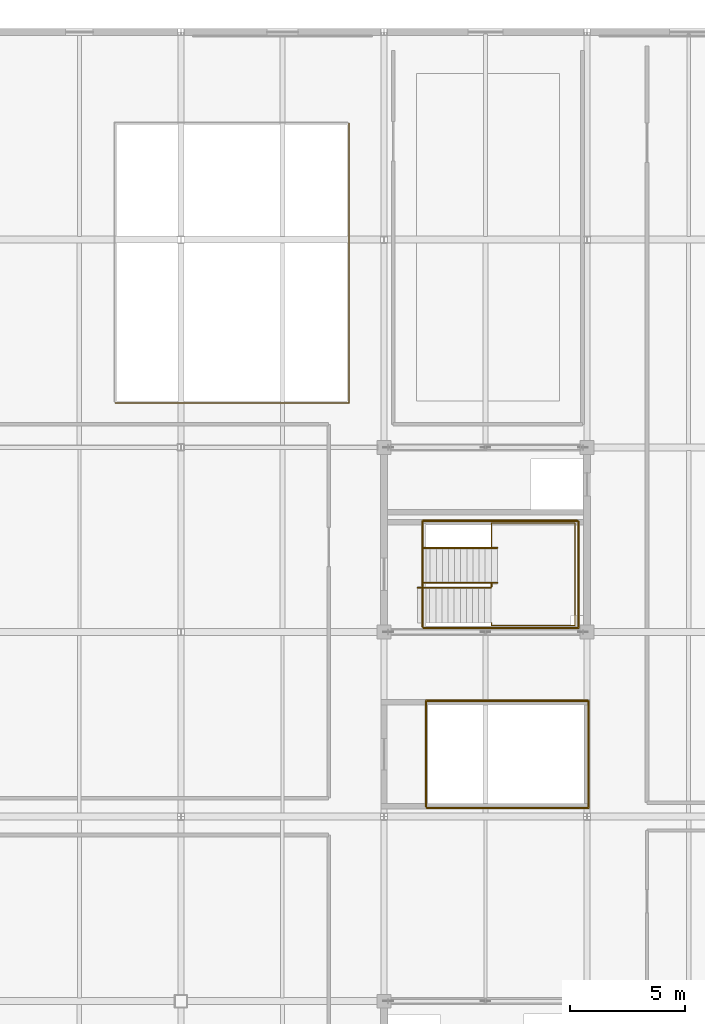
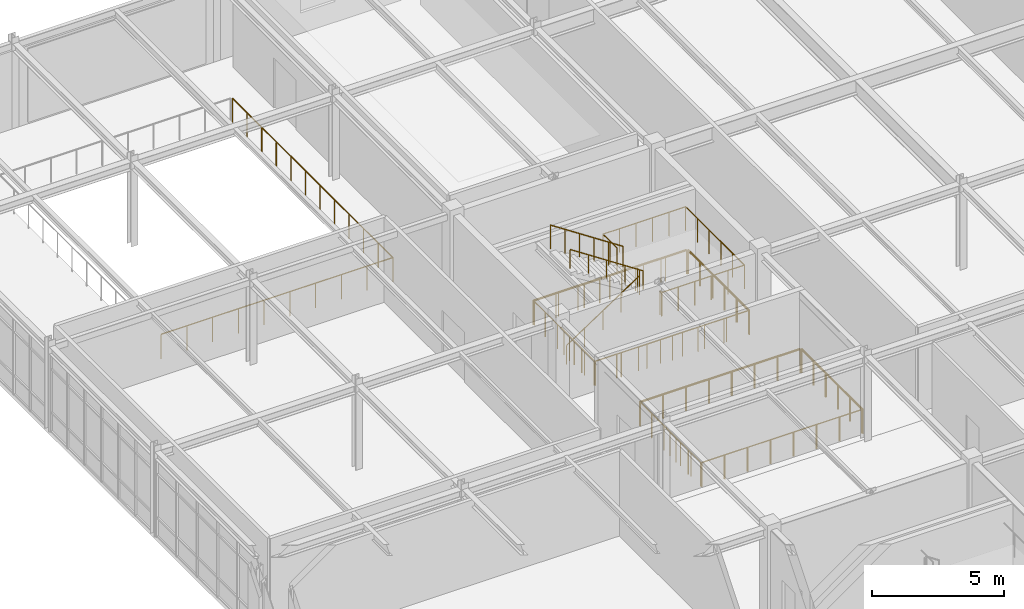
# One storey, part 86 of 88: 12 railings.
"""IFC4 building model written with IfcOpenShell, lengths in metres."""

import ifcopenshell
import ifcopenshell.guid

model = None  # the IFC model being written
_history = None  # IfcOwnerHistory: only IFC2X3 demands one
_inside = {}  # id of a spatial element -> (the spatial element, [elements in it])
_under = {}  # id of a project, library or spatial element -> (it, [spatial elements below it])
_declared = {}  # id of a project -> (the project, [libraries it declares])
_typed = {}  # id of a type object -> (the type object, [elements of that type])
_made_of = {}  # id of a material, layer set ... -> (it, [elements and type objects made of it])


def new_model(schema):
    """Start an empty IFC model of exactly this schema.

    Asked for "IFC4X3", IfcOpenShell would pick the latest addendum, in which some entities
    have other attributes; the version numbers below select the first issue.
    IFC2X3 requires an IfcOwnerHistory on every rooted entity: one is made here for all.
    """
    global model, _history
    if schema == "IFC4X3":
        model = ifcopenshell.file(schema_version=(4, 3, 0, 0))
    else:
        model = ifcopenshell.file(schema=schema)
    _inside.clear()
    _under.clear()
    _declared.clear()
    _typed.clear()
    _made_of.clear()
    _history = None
    if model.schema == "IFC2X3":
        org = make("IfcOrganization", Name="unknown")
        user = make(
            "IfcPersonAndOrganization",
            ThePerson=make("IfcPerson", FamilyName="unknown"),
            TheOrganization=org,
        )
        app = make(
            "IfcApplication",
            ApplicationDeveloper=org,
            Version="unknown",
            ApplicationFullName="unknown",
            ApplicationIdentifier="unknown",
        )
        _history = make(
            "IfcOwnerHistory",
            OwningUser=user,
            OwningApplication=app,
            ChangeAction="ADDED",
            CreationDate=0,
        )
    return model


def make(cls, **values):
    """One entity of the class cls with the attributes given. An attribute that is None is left unset."""
    return model.create_entity(
        cls, **{name: value for name, value in values.items() if value is not None}
    )


def rooted(cls, **values):
    """An entity with a GlobalId (a new one), such as an element, a storey or a relation."""
    return make(cls, GlobalId=ifcopenshell.guid.new(), OwnerHistory=_history, **values)


def si_unit(unit_type, name, prefix=None):
    """IfcSIUnit, for example si_unit("LENGTHUNIT", "METRE", prefix="MILLI")."""
    return make("IfcSIUnit", UnitType=unit_type, Prefix=prefix, Name=name)


def assignment(units):
    """IfcUnitAssignment: the units of a project."""
    return None if units is None else make("IfcUnitAssignment", Units=units)


def point(xyz):
    """IfcCartesianPoint."""
    return None if xyz is None else make("IfcCartesianPoint", Coordinates=xyz)


def direction(xyz):
    """IfcDirection."""
    return None if xyz is None else make("IfcDirection", DirectionRatios=xyz)


def frame(location, z_axis=None, x_axis=None):
    """IfcAxis2Placement3D, a coordinate frame: its origin and axes. An axis left out is left unset."""
    return make(
        "IfcAxis2Placement3D",
        Location=point(location),
        Axis=direction(z_axis),
        RefDirection=direction(x_axis),
    )


def frame_2d(location, x_axis=None):
    """IfcAxis2Placement2D, a coordinate frame in the plane: its origin and x axis."""
    return make(
        "IfcAxis2Placement2D", Location=point(location), RefDirection=direction(x_axis)
    )


def origin():
    """The frame at (0, 0, 0) with its axes left unset."""
    return frame((0.0, 0.0, 0.0))


def origin_2d():
    """The frame at (0, 0) in the plane with its x axis left unset."""
    return frame_2d((0.0, 0.0))


def place(relative_to, where):
    """IfcLocalPlacement: puts the frame where relative to a parent placement (None: the world)."""
    return make(
        "IfcLocalPlacement", PlacementRelTo=relative_to, RelativePlacement=where
    )


def context(
    kind, dimensions, precision=None, world=None, true_north=None, identifier=None
):
    """IfcGeometricRepresentationContext, for example the 3D "Model" context."""
    return make(
        "IfcGeometricRepresentationContext",
        ContextIdentifier=identifier,
        ContextType=kind,
        CoordinateSpaceDimension=dimensions,
        Precision=precision,
        WorldCoordinateSystem=world,
        TrueNorth=true_north,
    )


def subcontext(parent, identifier, kind, view, scale=None):
    """IfcGeometricRepresentationSubContext, for example "Body" below "Model"."""
    return make(
        "IfcGeometricRepresentationSubContext",
        ContextIdentifier=identifier,
        ContextType=kind,
        ParentContext=parent,
        TargetScale=scale,
        TargetView=view,
    )


def project(units=None, contexts=None):
    """IfcProject with its units and contexts."""
    return rooted(
        "IfcProject",
        Name="project",
        RepresentationContexts=contexts,
        UnitsInContext=assignment(units),
    )


def spatial(cls, under=None, at=None, **own):
    """A site, building, storey or space (cls), placed at a placement, below another one or the project."""
    s = rooted(cls, ObjectPlacement=at, **own)
    if under is not None:
        _under.setdefault(under.id(), (under, []))[1].append(s)
    return s


def profile(cls, at=None, kind="AREA", **sizes):
    """A parametric profile (cls). Its sizes go by their IFC names, for example OverallWidth=200.0."""
    return make(cls, ProfileType=kind, Position=at, **sizes)


def circle(**sizes):
    """IfcCircleProfileDef."""
    return profile("IfcCircleProfileDef", **sizes)


def extrude(swept, where, along, depth):
    """IfcExtrudedAreaSolid: the profile swept, set in the frame where, extruded along a direction by depth."""
    return make(
        "IfcExtrudedAreaSolid",
        SweptArea=swept,
        Position=where,
        ExtrudedDirection=direction(along),
        Depth=depth,
    )


def shape(context_of_items, identifier, shape_type, items):
    """IfcShapeRepresentation: the items that make up one representation, for example the "Body"."""
    return make(
        "IfcShapeRepresentation",
        ContextOfItems=context_of_items,
        RepresentationIdentifier=identifier,
        RepresentationType=shape_type,
        Items=items,
    )


def material(Name=None, Category=None):
    """IfcMaterial."""
    return make("IfcMaterial", Name=Name, Category=Category)


def made_of(thing, what):
    """Note that an element or type object is made of a material, layer set ...; save() writes the relation."""
    if what is not None:
        _made_of.setdefault(what.id(), (what, []))[1].append(thing)
    return thing


def type_object(cls, material=None, **own):
    """A type object (cls), such as IfcWallType, which elements share."""
    return made_of(rooted(cls, **own), material)


def element(
    cls,
    number,
    at=None,
    inside=None,
    cuts=None,
    type_object=None,
    material=None,
    context=None,
    identifier="Body",
    shape_type=None,
    held_by="IfcProductDefinitionShape",
    body=None,
    shapes=None,
    **own,
):
    """One element of the class cls, such as IfcWall. Its Tag is "e" and its number.

    at: its placement. inside: the storey or other place that contains it. cuts: it is an
    opening in that element (IfcRelVoidsElement). A single representation is given by context,
    identifier, shape_type and body (its items); several are given by shapes. held_by: the class
    of the entity that holds the representations. save() writes the other relations.
    """
    e = rooted(cls, Tag="e%d" % number, ObjectPlacement=at, **own)
    if body is not None:
        shapes = [shape(context, identifier, shape_type, body)]
    if shapes is not None:
        e.Representation = make(held_by, Representations=shapes)
    if inside is not None:
        _inside.setdefault(inside.id(), (inside, []))[1].append(e)
    if cuts is not None:
        rooted(
            "IfcRelVoidsElement", RelatingBuildingElement=cuts, RelatedOpeningElement=e
        )
    if type_object is not None:
        _typed.setdefault(type_object.id(), (type_object, []))[1].append(e)
    return made_of(e, material)


def aggregate(whole, parts):
    """IfcRelAggregates: a whole, such as a stair, and the parts it consists of."""
    return rooted("IfcRelAggregates", RelatingObject=whole, RelatedObjects=parts)


def save(model, path):
    """Write the relations noted so far, then the file.

    IfcRelAggregates (storeys below a building ...), IfcRelContainedInSpatialStructure (elements
    in a storey), IfcRelDefinesByType, IfcRelAssociatesMaterial and IfcRelDeclares: one each for
    every whole, place, type object, material and project.
    """
    for whole, parts in _under.values():
        aggregate(whole, parts)
    for where, things in _inside.values():
        rooted(
            "IfcRelContainedInSpatialStructure",
            RelatedElements=things,
            RelatingStructure=where,
        )
    for kind, things in _typed.values():
        rooted("IfcRelDefinesByType", RelatedObjects=things, RelatingType=kind)
    for what, things in _made_of.values():
        rooted("IfcRelAssociatesMaterial", RelatedObjects=things, RelatingMaterial=what)
    for by, libraries in _declared.values():
        rooted("IfcRelDeclares", RelatingContext=by, RelatedDefinitions=libraries)
    model.write(path)


model = new_model("IFC4")

# Units and contexts
model_context = context("Model", 3, precision=1e-05, world=origin(), true_north=direction((0.0, 1.0)))
body_context = subcontext(model_context, "Body", "Model", "MODEL_VIEW")
ifc_project = project(units=[si_unit("LENGTHUNIT", "METRE"), si_unit("AREAUNIT", "SQUARE_METRE"), si_unit("VOLUMEUNIT", "CUBIC_METRE"), si_unit("PLANEANGLEUNIT", "RADIAN"), si_unit("MASSUNIT", "GRAM", prefix="KILO")], contexts=[model_context])

# Site, building, storey
site_placement = place(None, origin())
site = spatial("IfcSite", under=ifc_project, at=site_placement, CompositionType="ELEMENT")
building_placement = place(site_placement, origin())
building = spatial("IfcBuilding", under=site, at=building_placement, Name="Zhaolan Boulevard Law Courts", CompositionType="ELEMENT")
storey_placement = place(building_placement, frame((0.0, 0.0, 16.199951171875)))
storey = spatial("IfcBuildingStorey", under=building, at=storey_placement, Name="L03", CompositionType="ELEMENT", Elevation=16.199951171875)

# Railings
ifc_material_1 = material(Name="Powder-coated steel and tempered laminated glass", Category="steel")
railing_type_1 = type_object("IfcRailingType", Name="INTERIOR GUARDRAIL 1150", PredefinedType="GUARDRAIL", material=ifc_material_1)
railing_1_placement = place(storey_placement, frame((19.31005859375, 86.169921875, 0.0)))
element("IfcRailing", 1, at=railing_1_placement, inside=storey, type_object=railing_type_1, Name="Atrium Gallery Guardrail VG-3-V3-2A", PredefinedType="GUARDRAIL", context=body_context, shape_type="SweptSolid", body=[
    extrude(circle(Radius=0.02490234375, at=origin_2d()), frame((0.0, 0.0, 1.125), z_axis=(1.0, 0.0, 0.0), x_axis=(0.0, 1.0, 0.0)), (0.0, 0.0, 1.0), 6.719970703125),
    extrude(circle(Radius=0.02490234375, at=origin_2d()), frame((6.719970703125, 0.0, 1.125), z_axis=(0.0, 1.0, 0.0), x_axis=(-1.0, 0.0, 0.0)), (0.0, 0.0, 1.0), 4.6201171875),
    extrude(circle(Radius=0.02099609375, at=origin_2d()), origin(), (0.0, 0.0, 1.0), 1.099853515625),
    extrude(circle(Radius=0.02099609375, at=origin_2d()), frame((1.1201171875, 0.0, 0.0)), (0.0, 0.0, 1.0), 1.099853515625),
    extrude(circle(Radius=0.02099609375, at=origin_2d()), frame((2.239990234375, 0.0, 0.0)), (0.0, 0.0, 1.0), 1.099853515625),
    extrude(circle(Radius=0.02099609375, at=origin_2d()), frame((3.35986328125, 0.0, 0.0)), (0.0, 0.0, 1.0), 1.099853515625),
    extrude(circle(Radius=0.02099609375, at=origin_2d()), frame((4.47998046875, 0.0, 0.0)), (0.0, 0.0, 1.0), 1.099853515625),
    extrude(circle(Radius=0.02099609375, at=origin_2d()), frame((5.60009765625, 0.0, 0.0)), (0.0, 0.0, 1.0), 1.099853515625),
    extrude(circle(Radius=0.02099609375, at=origin_2d()), frame((6.719970703125, 0.0, 0.0)), (0.0, 0.0, 1.0), 1.099853515625),
    extrude(circle(Radius=0.02099609375, at=origin_2d()), frame((6.719970703125, 0.924072265625, 0.0)), (0.0, 0.0, 1.0), 1.099853515625),
    extrude(circle(Radius=0.02099609375, at=origin_2d()), frame((6.719970703125, 1.84814453125, 0.0)), (0.0, 0.0, 1.0), 1.099853515625),
    extrude(circle(Radius=0.02099609375, at=origin_2d()), frame((6.719970703125, 2.77197265625, 0.0)), (0.0, 0.0, 1.0), 1.099853515625),
    extrude(circle(Radius=0.02099609375, at=origin_2d()), frame((6.719970703125, 3.696044921875, 0.0)), (0.0, 0.0, 1.0), 1.099853515625),
    extrude(circle(Radius=0.02099609375, at=origin_2d()), frame((6.719970703125, 4.6201171875, 0.0)), (0.0, 0.0, 1.0), 1.099853515625),
])
railing_2_placement = place(storey_placement, frame((25.969970703125, 90.830078125, 0.0)))
element("IfcRailing", 2, at=railing_2_placement, inside=storey, type_object=railing_type_1, Name="Atrium Gallery Guardrail VG-3-V3-2B", PredefinedType="GUARDRAIL", context=body_context, shape_type="SweptSolid", body=[
    extrude(circle(Radius=0.02490234375, at=origin_2d()), frame((0.0, 0.0, 1.125), z_axis=(-1.0, 0.0, 0.0), x_axis=(0.0, -1.0, 0.0)), (0.0, 0.0, 1.0), 6.699951171875),
    extrude(circle(Radius=0.02490234375, at=origin_2d()), frame((-6.699951171875, 0.0, 1.125), z_axis=(0.0, -1.0, 0.0), x_axis=(1.0, 0.0, 0.0)), (0.0, 0.0, 1.0), 4.60009765625),
    extrude(circle(Radius=0.02099609375, at=origin_2d()), origin(), (0.0, 0.0, 1.0), 1.099853515625),
    extrude(circle(Radius=0.02099609375, at=origin_2d()), frame((-1.11669921875, 0.0, 0.0)), (0.0, 0.0, 1.0), 1.099853515625),
    extrude(circle(Radius=0.02099609375, at=origin_2d()), frame((-2.2333984375, 0.0, 0.0)), (0.0, 0.0, 1.0), 1.099853515625),
    extrude(circle(Radius=0.02099609375, at=origin_2d()), frame((-3.35009765625, 0.0, 0.0)), (0.0, 0.0, 1.0), 1.099853515625),
    extrude(circle(Radius=0.02099609375, at=origin_2d()), frame((-4.466552734375, 0.0, 0.0)), (0.0, 0.0, 1.0), 1.099853515625),
    extrude(circle(Radius=0.02099609375, at=origin_2d()), frame((-5.583251953125, 0.0, 0.0)), (0.0, 0.0, 1.0), 1.099853515625),
    extrude(circle(Radius=0.02099609375, at=origin_2d()), frame((-6.699951171875, 0.0, 0.0)), (0.0, 0.0, 1.0), 1.099853515625),
    extrude(circle(Radius=0.02099609375, at=origin_2d()), frame((-6.699951171875, -0.919921875, 0.0)), (0.0, 0.0, 1.0), 1.099853515625),
    extrude(circle(Radius=0.02099609375, at=origin_2d()), frame((-6.699951171875, -1.840087890625, 0.0)), (0.0, 0.0, 1.0), 1.099853515625),
    extrude(circle(Radius=0.02099609375, at=origin_2d()), frame((-6.699951171875, -2.760009765625, 0.0)), (0.0, 0.0, 1.0), 1.099853515625),
    extrude(circle(Radius=0.02099609375, at=origin_2d()), frame((-6.699951171875, -3.68017578125, 0.0)), (0.0, 0.0, 1.0), 1.099853515625),
    extrude(circle(Radius=0.02099609375, at=origin_2d()), frame((-6.699951171875, -4.60009765625, 0.0)), (0.0, 0.0, 1.0), 1.099853515625),
])
railing_3_placement = place(storey_placement, frame((19.4599609375, 78.3701171875, 0.0)))
element("IfcRailing", 3, at=railing_3_placement, inside=storey, type_object=railing_type_1, Name="Atrium Gallery Guardrail VG-3-V3-3A", PredefinedType="GUARDRAIL", context=body_context, shape_type="SweptSolid", body=[
    extrude(circle(Radius=0.02490234375, at=origin_2d()), frame((0.0, 0.0, 1.125), z_axis=(1.0, 0.0, 0.0), x_axis=(0.0, 1.0, 0.0)), (0.0, 0.0, 1.0), 7.02001953125),
    extrude(circle(Radius=0.02490234375, at=origin_2d()), frame((7.02001953125, 0.0, 1.125), z_axis=(0.0, 1.0, 0.0), x_axis=(-1.0, 0.0, 0.0)), (0.0, 0.0, 1.0), 4.619873046875),
    extrude(circle(Radius=0.02099609375, at=origin_2d()), origin(), (0.0, 0.0, 1.0), 1.099853515625),
    extrude(circle(Radius=0.02099609375, at=origin_2d()), frame((1.0029296875, 0.0, 0.0)), (0.0, 0.0, 1.0), 1.099853515625),
    extrude(circle(Radius=0.02099609375, at=origin_2d()), frame((2.005615234375, 0.0, 0.0)), (0.0, 0.0, 1.0), 1.099853515625),
    extrude(circle(Radius=0.02099609375, at=origin_2d()), frame((3.008544921875, 0.0, 0.0)), (0.0, 0.0, 1.0), 1.099853515625),
    extrude(circle(Radius=0.02099609375, at=origin_2d()), frame((4.011474609375, 0.0, 0.0)), (0.0, 0.0, 1.0), 1.099853515625),
    extrude(circle(Radius=0.02099609375, at=origin_2d()), frame((5.014404296875, 0.0, 0.0)), (0.0, 0.0, 1.0), 1.099853515625),
    extrude(circle(Radius=0.02099609375, at=origin_2d()), frame((6.01708984375, 0.0, 0.0)), (0.0, 0.0, 1.0), 1.099853515625),
    extrude(circle(Radius=0.02099609375, at=origin_2d()), frame((7.02001953125, 0.0, 0.0)), (0.0, 0.0, 1.0), 1.099853515625),
    extrude(circle(Radius=0.02099609375, at=origin_2d()), frame((7.02001953125, 0.924072265625, 0.0)), (0.0, 0.0, 1.0), 1.099853515625),
    extrude(circle(Radius=0.02099609375, at=origin_2d()), frame((7.02001953125, 1.847900390625, 0.0)), (0.0, 0.0, 1.0), 1.099853515625),
    extrude(circle(Radius=0.02099609375, at=origin_2d()), frame((7.02001953125, 2.77197265625, 0.0)), (0.0, 0.0, 1.0), 1.099853515625),
    extrude(circle(Radius=0.02099609375, at=origin_2d()), frame((7.02001953125, 3.69580078125, 0.0)), (0.0, 0.0, 1.0), 1.099853515625),
    extrude(circle(Radius=0.02099609375, at=origin_2d()), frame((7.02001953125, 4.619873046875, 0.0)), (0.0, 0.0, 1.0), 1.099853515625),
])
railing_4_placement = place(storey_placement, frame((26.419921875, 83.030029296875, 0.0)))
element("IfcRailing", 4, at=railing_4_placement, inside=storey, type_object=railing_type_1, Name="Atrium Gallery Guardrail VG-3-V3-3B", PredefinedType="GUARDRAIL", context=body_context, shape_type="SweptSolid", body=[
    extrude(circle(Radius=0.02490234375, at=origin_2d()), frame((0.0, 0.0, 1.125), z_axis=(-1.0, 0.0, 0.0), x_axis=(0.0, -1.0, 0.0)), (0.0, 0.0, 1.0), 7.0),
    extrude(circle(Radius=0.02490234375, at=origin_2d()), frame((-7.0, 0.0, 1.125), z_axis=(0.0, -1.0, 0.0), x_axis=(1.0, 0.0, 0.0)), (0.0, 0.0, 1.0), 4.60009765625),
    extrude(circle(Radius=0.02099609375, at=origin_2d()), origin(), (0.0, 0.0, 1.0), 1.099853515625),
    extrude(circle(Radius=0.02099609375, at=origin_2d()), frame((-1.0, 0.0, 0.0)), (0.0, 0.0, 1.0), 1.099853515625),
    extrude(circle(Radius=0.02099609375, at=origin_2d()), frame((-2.0, 0.0, 0.0)), (0.0, 0.0, 1.0), 1.099853515625),
    extrude(circle(Radius=0.02099609375, at=origin_2d()), frame((-3.0, 0.0, 0.0)), (0.0, 0.0, 1.0), 1.099853515625),
    extrude(circle(Radius=0.02099609375, at=origin_2d()), frame((-4.0, 0.0, 0.0)), (0.0, 0.0, 1.0), 1.099853515625),
    extrude(circle(Radius=0.02099609375, at=origin_2d()), frame((-5.0, 0.0, 0.0)), (0.0, 0.0, 1.0), 1.099853515625),
    extrude(circle(Radius=0.02099609375, at=origin_2d()), frame((-6.0, 0.0, 0.0)), (0.0, 0.0, 1.0), 1.099853515625),
    extrude(circle(Radius=0.02099609375, at=origin_2d()), frame((-7.0, 0.0, 0.0)), (0.0, 0.0, 1.0), 1.099853515625),
    extrude(circle(Radius=0.02099609375, at=origin_2d()), frame((-7.0, -0.919921875, 0.0)), (0.0, 0.0, 1.0), 1.099853515625),
    extrude(circle(Radius=0.02099609375, at=origin_2d()), frame((-7.0, -1.840087890625, 0.0)), (0.0, 0.0, 1.0), 1.099853515625),
    extrude(circle(Radius=0.02099609375, at=origin_2d()), frame((-7.0, -2.760009765625, 0.0)), (0.0, 0.0, 1.0), 1.099853515625),
    extrude(circle(Radius=0.02099609375, at=origin_2d()), frame((-7.0, -3.68017578125, 0.0)), (0.0, 0.0, 1.0), 1.099853515625),
    extrude(circle(Radius=0.02099609375, at=origin_2d()), frame((-7.0, -4.60009765625, 0.0)), (0.0, 0.0, 1.0), 1.099853515625),
])
railing_5_placement = place(storey_placement, frame((5.9599609375, 95.919921875, 0.0)))
element("IfcRailing", 5, at=railing_5_placement, inside=storey, type_object=railing_type_1, Name="Atrium Gallery Guardrail VG-3-V3-4A", PredefinedType="GUARDRAIL", context=body_context, shape_type="SweptSolid", body=[
    extrude(circle(Radius=0.02490234375, at=origin_2d()), frame((0.0, 0.0, 1.125), z_axis=(1.0, 0.0, 0.0), x_axis=(0.0, 1.0, 0.0)), (0.0, 0.0, 1.0), 10.1201171875),
    extrude(circle(Radius=0.02490234375, at=origin_2d()), frame((10.1201171875, 0.0, 1.125), z_axis=(0.0, 1.0, 0.0), x_axis=(-1.0, 0.0, 0.0)), (0.0, 0.0, 1.0), 12.1201171875),
    extrude(circle(Radius=0.02099609375, at=origin_2d()), origin(), (0.0, 0.0, 1.0), 1.099853515625),
    extrude(circle(Radius=0.02099609375, at=origin_2d()), frame((1.12451171875, 0.0, 0.0)), (0.0, 0.0, 1.0), 1.099853515625),
    extrude(circle(Radius=0.02099609375, at=origin_2d()), frame((2.2490234375, 0.0, 0.0)), (0.0, 0.0, 1.0), 1.099853515625),
    extrude(circle(Radius=0.02099609375, at=origin_2d()), frame((3.373291015625, 0.0, 0.0)), (0.0, 0.0, 1.0), 1.099853515625),
    extrude(circle(Radius=0.02099609375, at=origin_2d()), frame((4.497802734375, 0.0, 0.0)), (0.0, 0.0, 1.0), 1.099853515625),
    extrude(circle(Radius=0.02099609375, at=origin_2d()), frame((5.622314453125, 0.0, 0.0)), (0.0, 0.0, 1.0), 1.099853515625),
    extrude(circle(Radius=0.02099609375, at=origin_2d()), frame((6.746826171875, 0.0, 0.0)), (0.0, 0.0, 1.0), 1.099853515625),
    extrude(circle(Radius=0.02099609375, at=origin_2d()), frame((7.87109375, 0.0, 0.0)), (0.0, 0.0, 1.0), 1.099853515625),
    extrude(circle(Radius=0.02099609375, at=origin_2d()), frame((8.99560546875, 0.0, 0.0)), (0.0, 0.0, 1.0), 1.099853515625),
    extrude(circle(Radius=0.02099609375, at=origin_2d()), frame((10.1201171875, 0.0, 0.0)), (0.0, 0.0, 1.0), 1.099853515625),
    extrude(circle(Radius=0.02099609375, at=origin_2d()), frame((10.1201171875, 1.101806640625, 0.0)), (0.0, 0.0, 1.0), 1.099853515625),
    extrude(circle(Radius=0.02099609375, at=origin_2d()), frame((10.1201171875, 2.20361328125, 0.0)), (0.0, 0.0, 1.0), 1.099853515625),
    extrude(circle(Radius=0.02099609375, at=origin_2d()), frame((10.1201171875, 3.305419921875, 0.0)), (0.0, 0.0, 1.0), 1.099853515625),
    extrude(circle(Radius=0.02099609375, at=origin_2d()), frame((10.1201171875, 4.4072265625, 0.0)), (0.0, 0.0, 1.0), 1.099853515625),
    extrude(circle(Radius=0.02099609375, at=origin_2d()), frame((10.1201171875, 5.509033203125, 0.0)), (0.0, 0.0, 1.0), 1.099853515625),
    extrude(circle(Radius=0.02099609375, at=origin_2d()), frame((10.1201171875, 6.611083984375, 0.0)), (0.0, 0.0, 1.0), 1.099853515625),
    extrude(circle(Radius=0.02099609375, at=origin_2d()), frame((10.1201171875, 7.712890625, 0.0)), (0.0, 0.0, 1.0), 1.099853515625),
    extrude(circle(Radius=0.02099609375, at=origin_2d()), frame((10.1201171875, 8.814697265625, 0.0)), (0.0, 0.0, 1.0), 1.099853515625),
    extrude(circle(Radius=0.02099609375, at=origin_2d()), frame((10.1201171875, 9.91650390625, 0.0)), (0.0, 0.0, 1.0), 1.099853515625),
    extrude(circle(Radius=0.02099609375, at=origin_2d()), frame((10.1201171875, 11.018310546875, 0.0)), (0.0, 0.0, 1.0), 1.099853515625),
    extrude(circle(Radius=0.02099609375, at=origin_2d()), frame((10.1201171875, 12.1201171875, 0.0)), (0.0, 0.0, 1.0), 1.099853515625),
])
ifc_material_2 = material(Name="Brushed stainless steel tubular handrail", Category="steel")
railing_type_2 = type_object("IfcRailingType", Name="STAIR HANDRAIL 900", PredefinedType="HANDRAIL", material=ifc_material_2)
railing_6_placement = place(storey_placement, frame((19.050048828125, 87.919921875, 0.0)))
element("IfcRailing", 6, at=railing_6_placement, inside=storey, type_object=railing_type_2, Name="Stair Handrail HR-ST10-L03-1", PredefinedType="HANDRAIL", context=body_context, shape_type="SweptSolid", body=[
    extrude(circle(Radius=0.0224609375, at=origin_2d()), frame((0.0, 0.0, 0.87744140625), z_axis=(0.834447378162, 0.0, 0.551087627405), x_axis=(0.0, 1.0, 0.0)), (0.0, 0.0, 1.0), 3.810791015625),
    extrude(circle(Radius=0.01904296875, at=origin_2d()), origin(), (0.0, 0.0, 1.0), 0.85498046875),
    extrude(circle(Radius=0.01904296875, at=origin_2d()), frame((0.794921875, 0.0, 0.52490234375)), (0.0, 0.0, 1.0), 0.85498046875),
    extrude(circle(Radius=0.01904296875, at=origin_2d()), frame((1.58984375, 0.0, 1.050048828125)), (0.0, 0.0, 1.0), 0.85498046875),
    extrude(circle(Radius=0.01904296875, at=origin_2d()), frame((2.385009765625, 0.0, 1.5751953125)), (0.0, 0.0, 1.0), 0.85498046875),
    extrude(circle(Radius=0.01904296875, at=origin_2d()), frame((3.179931640625, 0.0, 2.10009765625)), (0.0, 0.0, 1.0), 0.85498046875),
])
railing_7_placement = place(storey_placement, frame((22.514892578125, 88.139892578125, 2.10009765625)))
element("IfcRailing", 7, at=railing_7_placement, inside=storey, type_object=railing_type_2, Name="Stair Handrail HR-ST10-L03-2", PredefinedType="HANDRAIL", context=body_context, shape_type="SweptSolid", body=[
    extrude(circle(Radius=0.0224609375, at=origin_2d()), frame((0.0, 0.0, 0.87744140625), z_axis=(-0.834476838559, 0.0, 0.551043016387), x_axis=(0.0, -1.0, 0.0)), (0.0, 0.0, 1.0), 3.810791015625),
    extrude(circle(Radius=0.01904296875, at=origin_2d()), origin(), (0.0, 0.0, 1.0), 0.85498046875),
    extrude(circle(Radius=0.01904296875, at=origin_2d()), frame((-0.794921875, 0.0, 0.52490234375)), (0.0, 0.0, 1.0), 0.85498046875),
    extrude(circle(Radius=0.01904296875, at=origin_2d()), frame((-1.58984375, 0.0, 1.0498046875)), (0.0, 0.0, 1.0), 0.85498046875),
    extrude(circle(Radius=0.01904296875, at=origin_2d()), frame((-2.385009765625, 0.0, 1.574951171875)), (0.0, 0.0, 1.0), 0.85498046875),
    extrude(circle(Radius=0.01904296875, at=origin_2d()), frame((-3.179931640625, 0.0, 2.099853515625)), (0.0, 0.0, 1.0), 0.85498046875),
])
ifc_material_3 = material(Name="Powder-coated steel baluster guardrail", Category="steel")
railing_type_3 = type_object("IfcRailingType", Name="STAIR WELL GUARDRAIL 1120", PredefinedType="GUARDRAIL", material=ifc_material_3)
railing_8_placement = place(storey_placement, frame((19.2900390625, 88.530029296875, 0.0)))
element("IfcRailing", 8, at=railing_8_placement, inside=storey, type_object=railing_type_3, Name="Stair-Well Floor Guardrail WG-ST10-L02", PredefinedType="GUARDRAIL", context=body_context, shape_type="SweptSolid", body=[
    extrude(circle(Radius=0.02392578125, at=origin_2d()), frame((0.0, 0.0, 1.09619140625), z_axis=(0.0, -1.0, 0.0), x_axis=(1.0, 0.0, 0.0)), (0.0, 0.0, 1.0), 2.330078125),
    extrude(circle(Radius=0.02392578125, at=origin_2d()), frame((0.0, -2.330078125, 1.09619140625), z_axis=(1.0, 0.0, 0.0), x_axis=(0.0, 1.0, 0.0)), (0.0, 0.0, 1.0), 6.7099609375),
    extrude(circle(Radius=0.02392578125, at=origin_2d()), frame((6.7099609375, -2.330078125, 1.09619140625), z_axis=(0.0, 1.0, 0.0), x_axis=(-1.0, 0.0, 0.0)), (0.0, 0.0, 1.0), 4.60009765625),
    extrude(circle(Radius=0.02392578125, at=origin_2d()), frame((6.7099609375, 2.27001953125, 1.09619140625), z_axis=(-1.0, 0.0, 0.0), x_axis=(0.0, -1.0, 0.0)), (0.0, 0.0, 1.0), 6.7099609375),
    extrude(circle(Radius=0.02392578125, at=origin_2d()), frame((0.0, 2.27001953125, 1.09619140625), z_axis=(0.0, -1.0, 0.0), x_axis=(1.0, 0.0, 0.0)), (0.0, 0.0, 1.0), 0.0400390625),
    extrude(circle(Radius=0.02099609375, at=origin_2d()), origin(), (0.0, 0.0, 1.0), 1.072021484375),
    extrude(circle(Radius=0.02099609375, at=origin_2d()), frame((0.0, -0.776611328125, 0.0)), (0.0, 0.0, 1.0), 1.072021484375),
    extrude(circle(Radius=0.02099609375, at=origin_2d()), frame((0.0, -1.553466796875, 0.0)), (0.0, 0.0, 1.0), 1.072021484375),
    extrude(circle(Radius=0.02099609375, at=origin_2d()), frame((0.0, -2.330078125, 0.0)), (0.0, 0.0, 1.0), 1.072021484375),
    extrude(circle(Radius=0.02099609375, at=origin_2d()), frame((0.95849609375, -2.330078125, 0.0)), (0.0, 0.0, 1.0), 1.072021484375),
    extrude(circle(Radius=0.02099609375, at=origin_2d()), frame((1.917236328125, -2.330078125, 0.0)), (0.0, 0.0, 1.0), 1.072021484375),
    extrude(circle(Radius=0.02099609375, at=origin_2d()), frame((2.875732421875, -2.330078125, 0.0)), (0.0, 0.0, 1.0), 1.072021484375),
    extrude(circle(Radius=0.02099609375, at=origin_2d()), frame((3.834228515625, -2.330078125, 0.0)), (0.0, 0.0, 1.0), 1.072021484375),
    extrude(circle(Radius=0.02099609375, at=origin_2d()), frame((4.792724609375, -2.330078125, 0.0)), (0.0, 0.0, 1.0), 1.072021484375),
    extrude(circle(Radius=0.02099609375, at=origin_2d()), frame((5.75146484375, -2.330078125, 0.0)), (0.0, 0.0, 1.0), 1.072021484375),
    extrude(circle(Radius=0.02099609375, at=origin_2d()), frame((6.7099609375, -2.330078125, 0.0)), (0.0, 0.0, 1.0), 1.072021484375),
    extrude(circle(Radius=0.02099609375, at=origin_2d()), frame((6.7099609375, -1.41015625, 0.0)), (0.0, 0.0, 1.0), 1.072021484375),
    extrude(circle(Radius=0.02099609375, at=origin_2d()), frame((6.7099609375, -0.489990234375, 0.0)), (0.0, 0.0, 1.0), 1.072021484375),
    extrude(circle(Radius=0.02099609375, at=origin_2d()), frame((6.7099609375, 0.429931640625, 0.0)), (0.0, 0.0, 1.0), 1.072021484375),
    extrude(circle(Radius=0.02099609375, at=origin_2d()), frame((6.7099609375, 1.35009765625, 0.0)), (0.0, 0.0, 1.0), 1.072021484375),
    extrude(circle(Radius=0.02099609375, at=origin_2d()), frame((6.7099609375, 2.27001953125, 0.0)), (0.0, 0.0, 1.0), 1.072021484375),
    extrude(circle(Radius=0.02099609375, at=origin_2d()), frame((5.75146484375, 2.27001953125, 0.0)), (0.0, 0.0, 1.0), 1.072021484375),
    extrude(circle(Radius=0.02099609375, at=origin_2d()), frame((4.792724609375, 2.27001953125, 0.0)), (0.0, 0.0, 1.0), 1.072021484375),
    extrude(circle(Radius=0.02099609375, at=origin_2d()), frame((3.834228515625, 2.27001953125, 0.0)), (0.0, 0.0, 1.0), 1.072021484375),
    extrude(circle(Radius=0.02099609375, at=origin_2d()), frame((2.875732421875, 2.27001953125, 0.0)), (0.0, 0.0, 1.0), 1.072021484375),
    extrude(circle(Radius=0.02099609375, at=origin_2d()), frame((1.917236328125, 2.27001953125, 0.0)), (0.0, 0.0, 1.0), 1.072021484375),
    extrude(circle(Radius=0.02099609375, at=origin_2d()), frame((0.95849609375, 2.27001953125, 0.0)), (0.0, 0.0, 1.0), 1.072021484375),
    extrude(circle(Radius=0.02099609375, at=origin_2d()), frame((0.0, 2.27001953125, 0.0)), (0.0, 0.0, 1.0), 1.072021484375),
    extrude(circle(Radius=0.02099609375, at=origin_2d()), frame((0.0, 2.22998046875, 0.0)), (0.0, 0.0, 1.0), 1.072021484375),
])
railing_9_placement = place(storey_placement, frame((22.260009765625, 86.39990234375, 2.10009765625)))
element("IfcRailing", 9, at=railing_9_placement, inside=storey, type_object=railing_type_3, Name="Half-Landing Guardrail SG-ST10-L03-M", PredefinedType="GUARDRAIL", context=body_context, shape_type="SweptSolid", body=[
    extrude(circle(Radius=0.02392578125, at=origin_2d()), frame((0.0, 0.0, 1.09619140625), z_axis=(0.0, -1.0, 0.0), x_axis=(1.0, 0.0, 0.0)), (0.0, 0.0, 1.0), 0.119873046875),
    extrude(circle(Radius=0.02392578125, at=origin_2d()), frame((0.0, -0.119873046875, 1.09619140625), z_axis=(1.0, 0.0, 0.0), x_axis=(0.0, 1.0, 0.0)), (0.0, 0.0, 1.0), 3.610107421875),
    extrude(circle(Radius=0.02392578125, at=origin_2d()), frame((3.610107421875, -0.119873046875, 1.09619140625), z_axis=(0.0, 1.0, 0.0), x_axis=(-1.0, 0.0, 0.0)), (0.0, 0.0, 1.0), 4.43994140625),
    extrude(circle(Radius=0.02392578125, at=origin_2d()), frame((3.610107421875, 4.320068359375, 1.09619140625), z_axis=(-1.0, 0.0, 0.0), x_axis=(0.0, -1.0, 0.0)), (0.0, 0.0, 1.0), 3.610107421875),
    extrude(circle(Radius=0.02392578125, at=origin_2d()), frame((0.0, 4.320068359375, 1.09619140625), z_axis=(0.0, -1.0, 0.0), x_axis=(1.0, 0.0, 0.0)), (0.0, 0.0, 1.0), 1.06005859375),
    extrude(circle(Radius=0.02099609375, at=origin_2d()), origin(), (0.0, 0.0, 1.0), 1.072021484375),
    extrude(circle(Radius=0.02099609375, at=origin_2d()), frame((0.0, -0.119873046875, 0.0)), (0.0, 0.0, 1.0), 1.072021484375),
    extrude(circle(Radius=0.02099609375, at=origin_2d()), frame((0.721923828125, -0.119873046875, 0.0)), (0.0, 0.0, 1.0), 1.072021484375),
    extrude(circle(Radius=0.02099609375, at=origin_2d()), frame((1.444091796875, -0.119873046875, 0.0)), (0.0, 0.0, 1.0), 1.072021484375),
    extrude(circle(Radius=0.02099609375, at=origin_2d()), frame((2.166015625, -0.119873046875, 0.0)), (0.0, 0.0, 1.0), 1.072021484375),
    extrude(circle(Radius=0.02099609375, at=origin_2d()), frame((2.88818359375, -0.119873046875, 0.0)), (0.0, 0.0, 1.0), 1.072021484375),
    extrude(circle(Radius=0.02099609375, at=origin_2d()), frame((3.610107421875, -0.119873046875, 0.0)), (0.0, 0.0, 1.0), 1.072021484375),
    extrude(circle(Radius=0.02099609375, at=origin_2d()), frame((3.610107421875, 0.76806640625, 0.0)), (0.0, 0.0, 1.0), 1.072021484375),
    extrude(circle(Radius=0.02099609375, at=origin_2d()), frame((3.610107421875, 1.656005859375, 0.0)), (0.0, 0.0, 1.0), 1.072021484375),
    extrude(circle(Radius=0.02099609375, at=origin_2d()), frame((3.610107421875, 2.544189453125, 0.0)), (0.0, 0.0, 1.0), 1.072021484375),
    extrude(circle(Radius=0.02099609375, at=origin_2d()), frame((3.610107421875, 3.43212890625, 0.0)), (0.0, 0.0, 1.0), 1.072021484375),
    extrude(circle(Radius=0.02099609375, at=origin_2d()), frame((3.610107421875, 4.320068359375, 0.0)), (0.0, 0.0, 1.0), 1.072021484375),
    extrude(circle(Radius=0.02099609375, at=origin_2d()), frame((2.88818359375, 4.320068359375, 0.0)), (0.0, 0.0, 1.0), 1.072021484375),
    extrude(circle(Radius=0.02099609375, at=origin_2d()), frame((2.166015625, 4.320068359375, 0.0)), (0.0, 0.0, 1.0), 1.072021484375),
    extrude(circle(Radius=0.02099609375, at=origin_2d()), frame((1.444091796875, 4.320068359375, 0.0)), (0.0, 0.0, 1.0), 1.072021484375),
    extrude(circle(Radius=0.02099609375, at=origin_2d()), frame((0.721923828125, 4.320068359375, 0.0)), (0.0, 0.0, 1.0), 1.072021484375),
    extrude(circle(Radius=0.02099609375, at=origin_2d()), frame((0.0, 4.320068359375, 0.0)), (0.0, 0.0, 1.0), 1.072021484375),
    extrude(circle(Radius=0.02099609375, at=origin_2d()), frame((0.0, 3.7900390625, 0.0)), (0.0, 0.0, 1.0), 1.072021484375),
    extrude(circle(Radius=0.02099609375, at=origin_2d()), frame((0.0, 3.260009765625, 0.0)), (0.0, 0.0, 1.0), 1.072021484375),
])
railing_10_placement = place(storey_placement, frame((22.260009765625, 87.9599609375, 2.10009765625)))
element("IfcRailing", 10, at=railing_10_placement, inside=storey, type_object=railing_type_3, Name="Half-Landing Well Guardrail SG-ST10-L03-W", PredefinedType="GUARDRAIL", context=body_context, shape_type="SweptSolid", body=[
    extrude(circle(Radius=0.02392578125, at=origin_2d()), frame((0.0, 0.0, 1.09619140625), z_axis=(0.0, 1.0, 0.0), x_axis=(-1.0, 0.0, 0.0)), (0.0, 0.0, 1.0), 0.14013671875),
    extrude(circle(Radius=0.02099609375, at=origin_2d()), origin(), (0.0, 0.0, 1.0), 1.072021484375),
    extrude(circle(Radius=0.02099609375, at=origin_2d()), frame((0.0, 0.14013671875, 0.0)), (0.0, 0.0, 1.0), 1.072021484375),
])
railing_11_placement = place(storey_placement, frame((22.514892578125, 89.639892578125, 2.10009765625)))
element("IfcRailing", 11, at=railing_11_placement, inside=storey, type_object=railing_type_3, Name="Flight Guardrail SG-ST10-L03-F2", PredefinedType="GUARDRAIL", context=body_context, shape_type="SweptSolid", body=[
    extrude(circle(Radius=0.02392578125, at=origin_2d()), frame((0.0, 0.0, 1.09619140625), z_axis=(-0.834476838559, 0.0, 0.551043016387), x_axis=(0.0, -1.0, 0.0)), (0.0, 0.0, 1.0), 3.810791015625),
    extrude(circle(Radius=0.02099609375, at=origin_2d()), origin(), (0.0, 0.0, 1.0), 1.072021484375),
    extrude(circle(Radius=0.02099609375, at=origin_2d()), frame((-0.635986328125, 0.0, 0.419921875)), (0.0, 0.0, 1.0), 1.072021484375),
    extrude(circle(Radius=0.02099609375, at=origin_2d()), frame((-1.27197265625, 0.0, 0.83984375)), (0.0, 0.0, 1.0), 1.072021484375),
    extrude(circle(Radius=0.02099609375, at=origin_2d()), frame((-1.907958984375, 0.0, 1.260009765625)), (0.0, 0.0, 1.0), 1.072021484375),
    extrude(circle(Radius=0.02099609375, at=origin_2d()), frame((-2.5439453125, 0.0, 1.679931640625)), (0.0, 0.0, 1.0), 1.072021484375),
    extrude(circle(Radius=0.02099609375, at=origin_2d()), frame((-3.179931640625, 0.0, 2.099853515625)), (0.0, 0.0, 1.0), 1.072021484375),
])
railing_12_placement = place(storey_placement, frame((19.43994140625, 80.760009765625, 0.0)))
element("IfcRailing", 12, at=railing_12_placement, inside=storey, type_object=railing_type_3, Name="Stair-Well Floor Guardrail WG-ST12-L02", PredefinedType="GUARDRAIL", context=body_context, shape_type="SweptSolid", body=[
    extrude(circle(Radius=0.02392578125, at=origin_2d()), frame((0.0, 0.0, 1.09619140625), z_axis=(0.0, -1.0, 0.0), x_axis=(1.0, 0.0, 0.0)), (0.0, 0.0, 1.0), 2.360107421875),
    extrude(circle(Radius=0.02392578125, at=origin_2d()), frame((0.0, -2.360107421875, 1.09619140625), z_axis=(1.0, 0.0, 0.0), x_axis=(0.0, 1.0, 0.0)), (0.0, 0.0, 1.0), 7.010009765625),
    extrude(circle(Radius=0.02392578125, at=origin_2d()), frame((7.010009765625, -2.360107421875, 1.09619140625), z_axis=(0.0, 1.0, 0.0), x_axis=(-1.0, 0.0, 0.0)), (0.0, 0.0, 1.0), 4.60009765625),
    extrude(circle(Radius=0.02392578125, at=origin_2d()), frame((7.010009765625, 2.239990234375, 1.09619140625), z_axis=(-1.0, 0.0, 0.0), x_axis=(0.0, -1.0, 0.0)), (0.0, 0.0, 1.0), 7.010009765625),
    extrude(circle(Radius=0.02392578125, at=origin_2d()), frame((0.0, 2.239990234375, 1.09619140625), z_axis=(0.0, 1.0, 0.0), x_axis=(-1.0, 0.0, 0.0)), (0.0, 0.0, 1.0), 0.02001953125),
    extrude(circle(Radius=0.02099609375, at=origin_2d()), origin(), (0.0, 0.0, 1.0), 1.072021484375),
    extrude(circle(Radius=0.02099609375, at=origin_2d()), frame((0.0, -0.78662109375, 0.0)), (0.0, 0.0, 1.0), 1.072021484375),
    extrude(circle(Radius=0.02099609375, at=origin_2d()), frame((0.0, -1.573486328125, 0.0)), (0.0, 0.0, 1.0), 1.072021484375),
    extrude(circle(Radius=0.02099609375, at=origin_2d()), frame((0.0, -2.360107421875, 0.0)), (0.0, 0.0, 1.0), 1.072021484375),
    extrude(circle(Radius=0.02099609375, at=origin_2d()), frame((1.00146484375, -2.360107421875, 0.0)), (0.0, 0.0, 1.0), 1.072021484375),
    extrude(circle(Radius=0.02099609375, at=origin_2d()), frame((2.0029296875, -2.360107421875, 0.0)), (0.0, 0.0, 1.0), 1.072021484375),
    extrude(circle(Radius=0.02099609375, at=origin_2d()), frame((3.00439453125, -2.360107421875, 0.0)), (0.0, 0.0, 1.0), 1.072021484375),
    extrude(circle(Radius=0.02099609375, at=origin_2d()), frame((4.005615234375, -2.360107421875, 0.0)), (0.0, 0.0, 1.0), 1.072021484375),
    extrude(circle(Radius=0.02099609375, at=origin_2d()), frame((5.007080078125, -2.360107421875, 0.0)), (0.0, 0.0, 1.0), 1.072021484375),
    extrude(circle(Radius=0.02099609375, at=origin_2d()), frame((6.008544921875, -2.360107421875, 0.0)), (0.0, 0.0, 1.0), 1.072021484375),
    extrude(circle(Radius=0.02099609375, at=origin_2d()), frame((7.010009765625, -2.360107421875, 0.0)), (0.0, 0.0, 1.0), 1.072021484375),
    extrude(circle(Radius=0.02099609375, at=origin_2d()), frame((7.010009765625, -1.440185546875, 0.0)), (0.0, 0.0, 1.0), 1.072021484375),
    extrude(circle(Radius=0.02099609375, at=origin_2d()), frame((7.010009765625, -0.52001953125, 0.0)), (0.0, 0.0, 1.0), 1.072021484375),
    extrude(circle(Radius=0.02099609375, at=origin_2d()), frame((7.010009765625, 0.39990234375, 0.0)), (0.0, 0.0, 1.0), 1.072021484375),
    extrude(circle(Radius=0.02099609375, at=origin_2d()), frame((7.010009765625, 1.320068359375, 0.0)), (0.0, 0.0, 1.0), 1.072021484375),
    extrude(circle(Radius=0.02099609375, at=origin_2d()), frame((7.010009765625, 2.239990234375, 0.0)), (0.0, 0.0, 1.0), 1.072021484375),
    extrude(circle(Radius=0.02099609375, at=origin_2d()), frame((6.008544921875, 2.239990234375, 0.0)), (0.0, 0.0, 1.0), 1.072021484375),
    extrude(circle(Radius=0.02099609375, at=origin_2d()), frame((5.007080078125, 2.239990234375, 0.0)), (0.0, 0.0, 1.0), 1.072021484375),
    extrude(circle(Radius=0.02099609375, at=origin_2d()), frame((4.005615234375, 2.239990234375, 0.0)), (0.0, 0.0, 1.0), 1.072021484375),
    extrude(circle(Radius=0.02099609375, at=origin_2d()), frame((3.00439453125, 2.239990234375, 0.0)), (0.0, 0.0, 1.0), 1.072021484375),
    extrude(circle(Radius=0.02099609375, at=origin_2d()), frame((2.0029296875, 2.239990234375, 0.0)), (0.0, 0.0, 1.0), 1.072021484375),
    extrude(circle(Radius=0.02099609375, at=origin_2d()), frame((1.00146484375, 2.239990234375, 0.0)), (0.0, 0.0, 1.0), 1.072021484375),
    extrude(circle(Radius=0.02099609375, at=origin_2d()), frame((0.0, 2.239990234375, 0.0)), (0.0, 0.0, 1.0), 1.072021484375),
    extrude(circle(Radius=0.02099609375, at=origin_2d()), frame((0.0, 2.260009765625, 0.0)), (0.0, 0.0, 1.0), 1.072021484375),
])

save(model, "model.ifc")
